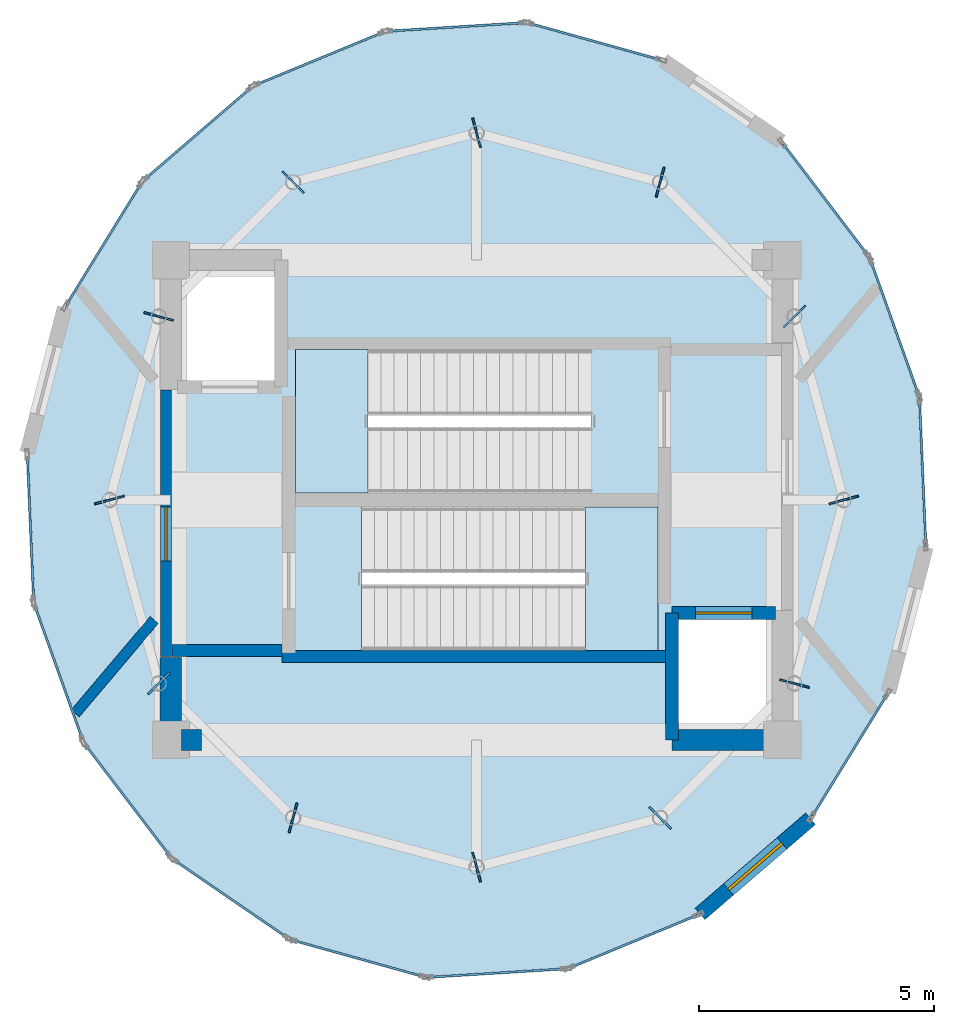
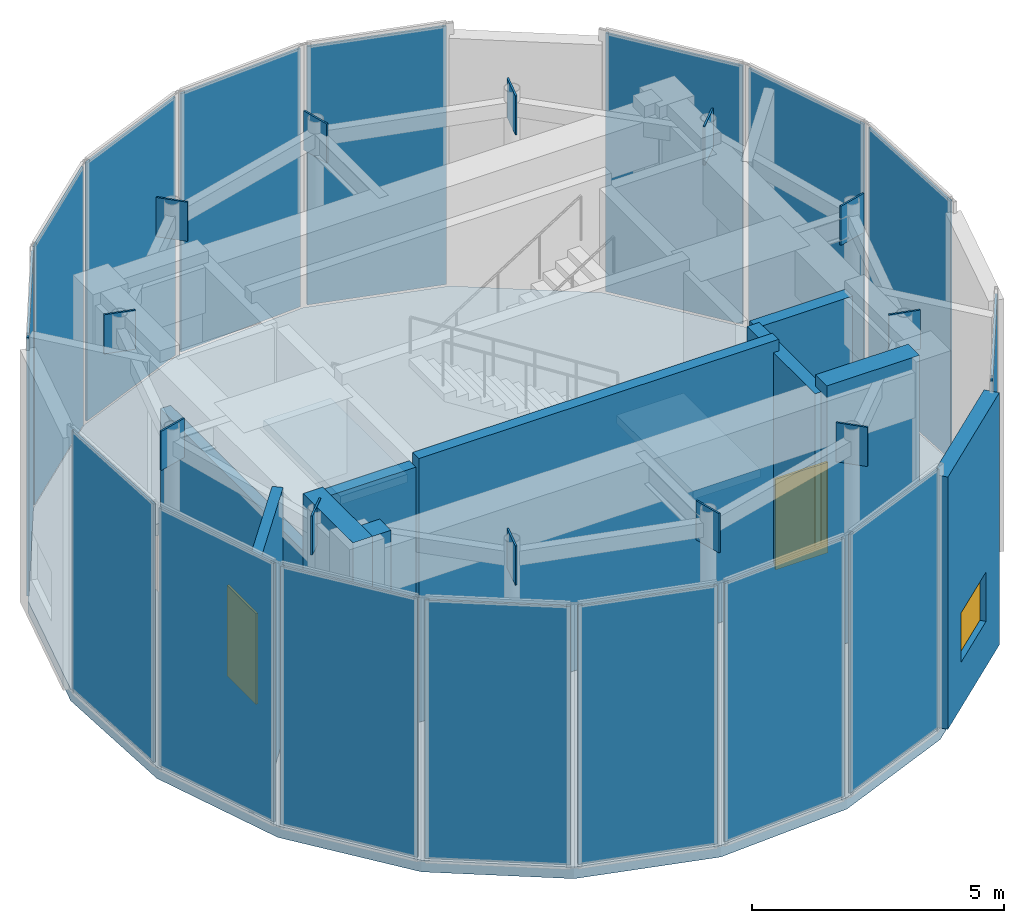
# One storey, part 6 of 8: 28 plates, 10 walls, 3 slabs, 2 doors, 1 window, 3 openings, 18 elements without a shape of their own.
"""IFC4 building model written with IfcOpenShell, lengths in metres."""

from ifc_helpers import new_model, si_unit, direction, frame, frame_2d, origin, origin_2d, place, context, subcontext, project, spatial, polyline, rectangle, outline, extrude, source, transform, mapped, material, layer, layer_set, type_object, element, fill, aggregate, save


model = new_model("IFC4")

# Units and contexts
model_context = context("Model", 3, precision=1e-05, world=origin(), true_north=direction((0.0, 1.0)))
body_context = subcontext(model_context, "Body", "Model", "MODEL_VIEW")
ifc_project = project(units=[si_unit("LENGTHUNIT", "METRE"), si_unit("AREAUNIT", "SQUARE_METRE"), si_unit("VOLUMEUNIT", "CUBIC_METRE"), si_unit("PLANEANGLEUNIT", "RADIAN"), si_unit("MASSUNIT", "GRAM", prefix="KILO")], contexts=[model_context])

# Site, building, storey
site_placement = place(None, origin())
site = spatial("IfcSite", under=ifc_project, at=site_placement, CompositionType="ELEMENT")
building_placement = place(site_placement, origin())
building = spatial("IfcBuilding", under=site, at=building_placement, Name="Solvirekh Grand Hotel", CompositionType="ELEMENT")
storey_placement = place(building_placement, frame((0.0, 0.0, 327.39990234375)))
storey = spatial("IfcBuildingStorey", under=building, at=storey_placement, Name="L82", CompositionType="ELEMENT", Elevation=327.39990234375)

# Stair, slab
ifc_material_1 = material(Name="Concrete C40/50", Category="concrete")
stair_type = type_object("IfcStairType", Name="Stair_Core_1450", PredefinedType="HALF_TURN_STAIR", material=ifc_material_1)
stair_1_placement = place(storey_placement, origin())
stair_1 = element("IfcStair", 1, at=stair_1_placement, inside=storey, type_object=stair_type, Name="L82 Enclosed exit stair ST-1", PredefinedType="HALF_TURN_STAIR")
ifc_layer_1 = layer(ifc_material_1, 0.199951171875)
ifc_layer_set_1 = layer_set([ifc_layer_1], Name="Concrete C40/50")
slab_type_1 = type_object("IfcSlabType", Name="Landing_Stair_200", PredefinedType="LANDING", material=ifc_layer_set_1)
slab_1_placement = place(storey_placement, frame((0.0, 0.0, 3.0)))
slab_1 = element("IfcSlab", 2, at=slab_1_placement, type_object=slab_type_1, Name="ST-1 landing 1", PredefinedType="LANDING", context=body_context, shape_type="SweptSolid", body=[
    extrude(outline(polyline([(2.31005859375, -3.199951171875), (3.85009765625, -3.199951171875), (3.85009765625, -0.14990234375), (2.31005859375, -0.14990234375), (2.31005859375, -3.199951171875)])), origin(), (0.0, 0.0, 1.0), 0.2001953125),
])
aggregate(stair_1, [slab_1])

stair_2_placement = place(storey_placement, origin())
stair_2 = element("IfcStair", 3, at=stair_2_placement, inside=storey, type_object=stair_type, Name="L82 Enclosed exit stair ST-2", PredefinedType="HALF_TURN_STAIR")
slab_2_placement = place(storey_placement, frame((0.0, 0.0, 3.0)))
slab_2 = element("IfcSlab", 4, at=slab_2_placement, type_object=slab_type_1, Name="ST-2 landing 1", PredefinedType="LANDING", context=body_context, shape_type="SweptSolid", body=[
    extrude(outline(polyline([(-2.31005859375, 3.199951171875), (-3.85009765625, 3.199951171875), (-3.85009765625, 0.14990234375), (-2.31005859375, 0.14990234375), (-2.31005859375, 3.199951171875)])), origin(), (0.0, 0.0, 1.0), 0.2001953125),
])
aggregate(stair_2, [slab_2])

# Plates
ifc_material_2 = material(Name="Steel S355", Category="steel")
ifc_layer_2 = layer(ifc_material_2, 0.0400390625)
ifc_layer_set_2 = layer_set([ifc_layer_2], Name="Steel S355")
plate_type_1 = type_object("IfcPlateType", Name="NodeCapPlate_40", PredefinedType="SHEET", material=ifc_layer_set_2)
for number, where, z_axis, x_axis, name in (
    (5, (7.800048828125, 0.0, 5.47021484375), (0.0, 0.0, 1.0), (-0.258819045103, 0.965925826289, 0.0), "L82 hollow-section node plate NP-L82-SP01"),
    (6, (6.7548828125, 3.89990234375, 5.47021484375), (0.0, 0.0, 1.0), (-0.707106781187, 0.707106781187, 0.0), "L82 hollow-section node plate NP-L82-SP02"),
    (7, (3.89990234375, 6.7548828125, 5.47021484375), (0.0, 0.0, 1.0), (-0.965925826289, 0.258819045103, 0.0), "L82 hollow-section node plate NP-L82-SP03"),
    (8, (0.0, 7.800048828125, 5.47021484375), (0.0, 0.0, 1.0), (-0.965925826289, -0.258819045103, 0.0), "L82 hollow-section node plate NP-L82-SP04"),
    (9, (-3.89990234375, 6.7548828125, 5.47021484375), (0.0, 0.0, 1.0), (-0.707106781187, -0.707106781187, 0.0), "L82 hollow-section node plate NP-L82-SP05"),
    (10, (-6.7548828125, 3.89990234375, 5.47021484375), (0.0, 0.0, 1.0), (-0.258819045103, -0.965925826289, 0.0), "L82 hollow-section node plate NP-L82-SP06"),
    (11, (-7.800048828125, 0.0, 5.47021484375), (0.0, 0.0, 1.0), (0.258819045103, -0.965925826289, 0.0), "L82 hollow-section node plate NP-L82-SP07"),
    (12, (-6.7548828125, -3.89990234375, 5.47021484375), (0.0, 0.0, 1.0), (0.707106781187, -0.707106781187, 0.0), "L82 hollow-section node plate NP-L82-SP08"),
    (13, (-3.89990234375, -6.7548828125, 5.47021484375), (0.0, 0.0, 1.0), (0.965925826289, -0.258819045103, 0.0), "L82 hollow-section node plate NP-L82-SP09"),
    (14, (0.0, -7.800048828125, 5.47021484375), (0.0, 0.0, 1.0), (0.965925826289, 0.258819045103, 0.0), "L82 hollow-section node plate NP-L82-SP10"),
    (15, (3.89990234375, -6.7548828125, 5.47021484375), (0.0, 0.0, 1.0), (0.707106781187, 0.707106781187, 0.0), "L82 hollow-section node plate NP-L82-SP11"),
    (16, (6.7548828125, -3.89990234375, 5.47021484375), (0.0, 0.0, 1.0), (0.258819045103, 0.965925826289, 0.0), "L82 hollow-section node plate NP-L82-SP12"),
):
    element("IfcPlate", number, at=place(storey_placement, frame(where, z_axis=z_axis, x_axis=x_axis)), inside=storey, type_object=plate_type_1, Name=name, PredefinedType="SHEET", context=body_context, shape_type="SweptSolid", body=[
        extrude(rectangle(XDim=0.0400390625, YDim=0.64990234375, at=origin_2d()), origin(), (0.0, 0.0, 1.0), 0.949951171875),
    ])

# Slab
ifc_layer_3 = layer(ifc_material_1, 0.280029296875)
ifc_layer_set_3 = layer_set([ifc_layer_3], Name="Concrete C40/50")
slab_type_2 = type_object("IfcSlabType", Name="Slab_Crown_280", PredefinedType="FLOOR", material=ifc_layer_set_3)
slab_3_placement = place(storey_placement, frame((0.0, 0.0, -0.27978515625)))
element("IfcSlab", 17, at=slab_3_placement, inside=storey, type_object=slab_type_2, Name="L82 structural floor slab", PredefinedType="FLOOR", context=body_context, shape_type="SweptSolid", body=[
    extrude(outline(polyline([(-1.06591796875, -10.14404296875), (1.93603515625, -9.9580078125), (4.7490234375, -8.797119140625), (7.096923828125, -6.77392578125), (8.7509765625, -4.089111328125), (9.547119140625, -1.0029296875), (9.409912109375, 2.179931640625), (8.35107421875, 5.15087890625), (6.47412109375, 7.616943359375), (3.964111328125, 9.337890625), (1.06591796875, 10.14404296875), (-1.93603515625, 9.9580078125), (-4.7490234375, 8.797119140625), (-7.096923828125, 6.77392578125), (-8.7509765625, 4.089111328125), (-9.547119140625, 1.0029296875), (-9.409912109375, -2.179931640625), (-8.35107421875, -5.15087890625), (-6.47412109375, -7.616943359375), (-3.964111328125, -9.337890625), (-1.06591796875, -10.14404296875)]), holes=[polyline([(-2.444091796875, -0.14990234375), (3.85009765625, -0.14990234375), (3.85009765625, -3.199951171875), (-2.444091796875, -3.199951171875), (-2.444091796875, -0.14990234375)]), polyline([(2.444091796875, 0.14990234375), (-3.85009765625, 0.14990234375), (-3.85009765625, 3.199951171875), (2.444091796875, 3.199951171875), (2.444091796875, 0.14990234375)]), polyline([(-6.35009765625, 5.10009765625), (-4.14990234375, 5.10009765625), (-4.14990234375, 2.39990234375), (-6.35009765625, 2.39990234375), (-6.35009765625, 5.10009765625)]), polyline([(4.14990234375, -2.39990234375), (6.35009765625, -2.39990234375), (6.35009765625, -5.10009765625), (4.14990234375, -5.10009765625), (4.14990234375, -2.39990234375)])]), origin(), (0.0, 0.0, 1.0), 0.27978515625),
])

# Curtain wall, plate
ifc_material_3 = material(Name="Anodized Bronze Aluminium 6063-T6", Category="aluminium")
ifc_layer_4 = layer(ifc_material_3, 0.219970703125)
ifc_layer_set_4 = layer_set([ifc_layer_4], Name="Anodized Bronze Aluminium 6063-T6")
curtain_wall_type = type_object("IfcCurtainWallType", Name="CW_Sys6_CrownFacetedPointCW", PredefinedType="NOTDEFINED", material=ifc_layer_set_4)
curtain_wall_1_placement = place(storey_placement, origin())
curtain_wall_1 = element("IfcCurtainWall", 18, at=curtain_wall_1_placement, inside=storey, type_object=curtain_wall_type, Name="L82 unitised bronze-glass curtain wall CW-L82-C01", PredefinedType="NOTDEFINED")
ifc_material_4 = material(Name="Champagne Low-Iron Crown Laminated Glass", Category="glass")
ifc_layer_5 = layer(ifc_material_4, 0.0458984375)
ifc_layer_set_5 = layer_set([ifc_layer_5], Name="Champagne Low-Iron Crown Laminated Glass")
plate_type_2 = type_object("IfcPlateType", Name="CWPanel_Crown_46", PredefinedType="CURTAIN_PANEL", material=ifc_layer_set_5)
shared_shape_1 = source(origin(), body_context, "Body", "SweptSolid", [
    extrude(rectangle(XDim=2.857666015625, YDim=0.0458984375, at=origin_2d()), origin(), (0.0, 0.0, 1.0), 6.27001953125),
])
plate_1_placement = place(storey_placement, frame((0.43505859375, -10.051025390625, 0.065185546875), z_axis=(0.0, 0.0, 1.0), x_axis=(0.998086068861, 0.061840109522, 0.0)))
plate_1 = element("IfcPlate", 19, at=plate_1_placement, type_object=plate_type_2, Name="U06 panel 1.1", PredefinedType="CURTAIN_PANEL", context=body_context, shape_type="MappedRepresentation", body=[
    mapped(shared_shape_1, transform((0.0, 0.0, 0.0), x_axis=(1.0, 0.0, 0.0), y_axis=(0.0, 1.0, 0.0), z_axis=(0.0, 0.0, 1.0), scale=1.0)),
])
aggregate(curtain_wall_1, [plate_1])

curtain_wall_2_placement = place(storey_placement, origin())
curtain_wall_2 = element("IfcCurtainWall", 20, at=curtain_wall_2_placement, inside=storey, type_object=curtain_wall_type, Name="L82 unitised bronze-glass curtain wall CW-L82-C11", PredefinedType="NOTDEFINED")
plate_2_placement = place(storey_placement, frame((-0.43505859375, 10.051025390625, 0.065185546875), z_axis=(0.0, 0.0, 1.0), x_axis=(-0.998086068861, -0.061840109522, 0.0)))
plate_2 = element("IfcPlate", 21, at=plate_2_placement, type_object=plate_type_2, Name="U06 panel 1.1", PredefinedType="CURTAIN_PANEL", context=body_context, shape_type="MappedRepresentation", body=[
    mapped(shared_shape_1, transform((0.0, 0.0, 0.0), x_axis=(1.0, 0.0, 0.0), y_axis=(0.0, 1.0, 0.0), z_axis=(0.0, 0.0, 1.0), scale=1.0)),
])
aggregate(curtain_wall_2, [plate_2])

curtain_wall_3_placement = place(storey_placement, origin())
curtain_wall_3 = element("IfcCurtainWall", 22, at=curtain_wall_3_placement, inside=storey, type_object=curtain_wall_type, Name="L82 unitised bronze-glass curtain wall CW-L82-C02", PredefinedType="NOTDEFINED")
shared_shape_2 = source(origin(), body_context, "Body", "SweptSolid", [
    extrude(rectangle(XDim=2.89306640625, YDim=0.0458984375, at=origin_2d()), origin(), (0.0, 0.0, 1.0), 6.27001953125),
])
plate_3_placement = place(storey_placement, frame((3.342529296875, -9.37744140625, 0.065185546875), z_axis=(0.0, 0.0, 1.0), x_axis=(0.924364736582, 0.381509939273, 0.0)))
plate_3 = element("IfcPlate", 23, at=plate_3_placement, type_object=plate_type_2, Name="U06 panel 1.1", PredefinedType="CURTAIN_PANEL", context=body_context, shape_type="MappedRepresentation", body=[
    mapped(shared_shape_2, transform((0.0, 0.0, 0.0), x_axis=(1.0, 0.0, 0.0), y_axis=(0.0, 1.0, 0.0), z_axis=(0.0, 0.0, 1.0), scale=1.0)),
])
aggregate(curtain_wall_3, [plate_3])

curtain_wall_4_placement = place(storey_placement, origin())
curtain_wall_4 = element("IfcCurtainWall", 24, at=curtain_wall_4_placement, inside=storey, type_object=curtain_wall_type, Name="L82 unitised bronze-glass curtain wall CW-L82-C12", PredefinedType="NOTDEFINED")
plate_4_placement = place(storey_placement, frame((-3.342529296875, 9.37744140625, 0.065185546875), z_axis=(0.0, 0.0, 1.0), x_axis=(-0.924364736582, -0.381509939273, 0.0)))
plate_4 = element("IfcPlate", 25, at=plate_4_placement, type_object=plate_type_2, Name="U06 panel 1.1", PredefinedType="CURTAIN_PANEL", context=body_context, shape_type="MappedRepresentation", body=[
    mapped(shared_shape_2, transform((0.0, 0.0, 0.0), x_axis=(1.0, 0.0, 0.0), y_axis=(0.0, 1.0, 0.0), z_axis=(0.0, 0.0, 1.0), scale=1.0)),
])
aggregate(curtain_wall_4, [plate_4])

curtain_wall_5_placement = place(storey_placement, origin())
curtain_wall_5 = element("IfcCurtainWall", 26, at=curtain_wall_5_placement, inside=storey, type_object=curtain_wall_type, Name="L82 unitised bronze-glass curtain wall CW-L82-C04", PredefinedType="NOTDEFINED")
shared_shape_3 = source(origin(), body_context, "Body", "SweptSolid", [
    extrude(rectangle(XDim=3.003662109375, YDim=0.0458984375, at=origin_2d()), origin(), (0.0, 0.0, 1.0), 6.27001953125),
])
plate_5_placement = place(storey_placement, frame((7.924072265625, -5.431396484375, 0.065185546875), z_axis=(0.0, 0.0, 1.0), x_axis=(0.524486603344, 0.851418700119, 0.0)))
plate_5 = element("IfcPlate", 27, at=plate_5_placement, type_object=plate_type_2, Name="U06 panel 1.1", PredefinedType="CURTAIN_PANEL", context=body_context, shape_type="MappedRepresentation", body=[
    mapped(shared_shape_3, transform((0.0, 0.0, 0.0), x_axis=(1.0, 0.0, 0.0), y_axis=(0.0, 1.0, 0.0), z_axis=(0.0, 0.0, 1.0), scale=1.0)),
])
aggregate(curtain_wall_5, [plate_5])

curtain_wall_6_placement = place(storey_placement, origin())
curtain_wall_6 = element("IfcCurtainWall", 28, at=curtain_wall_6_placement, inside=storey, type_object=curtain_wall_type, Name="L82 unitised bronze-glass curtain wall CW-L82-C14", PredefinedType="NOTDEFINED")
plate_6_placement = place(storey_placement, frame((-7.924072265625, 5.431396484375, 0.065185546875), z_axis=(0.0, 0.0, 1.0), x_axis=(-0.524486603344, -0.851418700119, 0.0)))
plate_6 = element("IfcPlate", 29, at=plate_6_placement, type_object=plate_type_2, Name="U06 panel 1.1", PredefinedType="CURTAIN_PANEL", context=body_context, shape_type="MappedRepresentation", body=[
    mapped(shared_shape_3, transform((0.0, 0.0, 0.0), x_axis=(1.0, 0.0, 0.0), y_axis=(0.0, 1.0, 0.0), z_axis=(0.0, 0.0, 1.0), scale=1.0)),
])
aggregate(curtain_wall_6, [plate_6])

curtain_wall_7_placement = place(storey_placement, origin())
curtain_wall_7 = element("IfcCurtainWall", 30, at=curtain_wall_7_placement, inside=storey, type_object=curtain_wall_type, Name="L82 unitised bronze-glass curtain wall CW-L82-C06", PredefinedType="NOTDEFINED")
shared_shape_4 = source(origin(), body_context, "Body", "SweptSolid", [
    extrude(rectangle(XDim=3.035888671875, YDim=0.0458984375, at=origin_2d()), origin(), (0.0, 0.0, 1.0), 6.27001953125),
])
plate_7_placement = place(storey_placement, frame((9.478515625, 0.58837890625, 0.065185546875), z_axis=(0.0, 0.0, 1.0), x_axis=(-0.0430013437, 0.999075014421, 0.0)))
plate_7 = element("IfcPlate", 31, at=plate_7_placement, type_object=plate_type_2, Name="U06 panel 1.1", PredefinedType="CURTAIN_PANEL", context=body_context, shape_type="MappedRepresentation", body=[
    mapped(shared_shape_4, transform((0.0, 0.0, 0.0), x_axis=(1.0, 0.0, 0.0), y_axis=(0.0, 1.0, 0.0), z_axis=(0.0, 0.0, 1.0), scale=1.0)),
])
aggregate(curtain_wall_7, [plate_7])

curtain_wall_8_placement = place(storey_placement, origin())
curtain_wall_8 = element("IfcCurtainWall", 32, at=curtain_wall_8_placement, inside=storey, type_object=curtain_wall_type, Name="L82 unitised bronze-glass curtain wall CW-L82-C16", PredefinedType="NOTDEFINED")
plate_8_placement = place(storey_placement, frame((-9.478515625, -0.58837890625, 0.065185546875), z_axis=(0.0, 0.0, 1.0), x_axis=(0.0430013437, -0.999075014421, 0.0)))
plate_8 = element("IfcPlate", 33, at=plate_8_placement, type_object=plate_type_2, Name="U06 panel 1.1", PredefinedType="CURTAIN_PANEL", context=body_context, shape_type="MappedRepresentation", body=[
    mapped(shared_shape_4, transform((0.0, 0.0, 0.0), x_axis=(1.0, 0.0, 0.0), y_axis=(0.0, 1.0, 0.0), z_axis=(0.0, 0.0, 1.0), scale=1.0)),
])
aggregate(curtain_wall_8, [plate_8])

curtain_wall_9_placement = place(storey_placement, origin())
curtain_wall_9 = element("IfcCurtainWall", 34, at=curtain_wall_9_placement, inside=storey, type_object=curtain_wall_type, Name="L82 unitised bronze-glass curtain wall CW-L82-C07", PredefinedType="NOTDEFINED")
shared_shape_5 = source(origin(), body_context, "Body", "SweptSolid", [
    extrude(rectangle(XDim=3.004150390625, YDim=0.0458984375, at=origin_2d()), origin(), (0.0, 0.0, 1.0), 6.27001953125),
])
plate_9_placement = place(storey_placement, frame((8.880615234375, 3.66552734375, 0.065185546875), z_axis=(0.0, 0.0, 1.0), x_axis=(-0.335753882406, 0.941949749429, 0.0)))
plate_9 = element("IfcPlate", 35, at=plate_9_placement, type_object=plate_type_2, Name="U06 panel 1.1", PredefinedType="CURTAIN_PANEL", context=body_context, shape_type="MappedRepresentation", body=[
    mapped(shared_shape_5, transform((0.0, 0.0, 0.0), x_axis=(1.0, 0.0, 0.0), y_axis=(0.0, 1.0, 0.0), z_axis=(0.0, 0.0, 1.0), scale=1.0)),
])
aggregate(curtain_wall_9, [plate_9])

curtain_wall_10_placement = place(storey_placement, origin())
curtain_wall_10 = element("IfcCurtainWall", 36, at=curtain_wall_10_placement, inside=storey, type_object=curtain_wall_type, Name="L82 unitised bronze-glass curtain wall CW-L82-C17", PredefinedType="NOTDEFINED")
plate_10_placement = place(storey_placement, frame((-8.880615234375, -3.66552734375, 0.065185546875), z_axis=(0.0, 0.0, 1.0), x_axis=(0.335753882406, -0.941949749429, 0.0)))
plate_10 = element("IfcPlate", 37, at=plate_10_placement, type_object=plate_type_2, Name="U06 panel 1.1", PredefinedType="CURTAIN_PANEL", context=body_context, shape_type="MappedRepresentation", body=[
    mapped(shared_shape_5, transform((0.0, 0.0, 0.0), x_axis=(1.0, 0.0, 0.0), y_axis=(0.0, 1.0, 0.0), z_axis=(0.0, 0.0, 1.0), scale=1.0)),
])
aggregate(curtain_wall_10, [plate_10])

curtain_wall_11_placement = place(storey_placement, origin())
curtain_wall_11 = element("IfcCurtainWall", 38, at=curtain_wall_11_placement, inside=storey, type_object=curtain_wall_type, Name="L82 unitised bronze-glass curtain wall CW-L82-C08", PredefinedType="NOTDEFINED")
shared_shape_6 = source(origin(), body_context, "Body", "SweptSolid", [
    extrude(rectangle(XDim=2.948974609375, YDim=0.0458984375, at=origin_2d()), origin(), (0.0, 0.0, 1.0), 6.27001953125),
])
plate_11_placement = place(storey_placement, frame((7.41259765625, 6.384033203125, 0.065185546875), z_axis=(0.0, 0.0, 1.0), x_axis=(-0.605663989825, 0.795720510876, 0.0)))
plate_11 = element("IfcPlate", 39, at=plate_11_placement, type_object=plate_type_2, Name="U06 panel 1.1", PredefinedType="CURTAIN_PANEL", context=body_context, shape_type="MappedRepresentation", body=[
    mapped(shared_shape_6, transform((0.0, 0.0, 0.0), x_axis=(1.0, 0.0, 0.0), y_axis=(0.0, 1.0, 0.0), z_axis=(0.0, 0.0, 1.0), scale=1.0)),
])
aggregate(curtain_wall_11, [plate_11])

curtain_wall_12_placement = place(storey_placement, origin())
curtain_wall_12 = element("IfcCurtainWall", 40, at=curtain_wall_12_placement, inside=storey, type_object=curtain_wall_type, Name="L82 unitised bronze-glass curtain wall CW-L82-C18", PredefinedType="NOTDEFINED")
plate_12_placement = place(storey_placement, frame((-7.41259765625, -6.384033203125, 0.065185546875), z_axis=(0.0, 0.0, 1.0), x_axis=(0.605663989825, -0.795720510876, 0.0)))
plate_12 = element("IfcPlate", 41, at=plate_12_placement, type_object=plate_type_2, Name="U06 panel 1.1", PredefinedType="CURTAIN_PANEL", context=body_context, shape_type="MappedRepresentation", body=[
    mapped(shared_shape_6, transform((0.0, 0.0, 0.0), x_axis=(1.0, 0.0, 0.0), y_axis=(0.0, 1.0, 0.0), z_axis=(0.0, 0.0, 1.0), scale=1.0)),
])
aggregate(curtain_wall_12, [plate_12])

curtain_wall_13_placement = place(storey_placement, origin())
curtain_wall_13 = element("IfcCurtainWall", 42, at=curtain_wall_13_placement, inside=storey, type_object=curtain_wall_type, Name="L82 unitised bronze-glass curtain wall CW-L82-C10", PredefinedType="NOTDEFINED")
shared_shape_7 = source(origin(), body_context, "Body", "SweptSolid", [
    extrude(rectangle(XDim=2.85791015625, YDim=0.0458984375, at=origin_2d()), origin(), (0.0, 0.0, 1.0), 6.27001953125),
])
plate_13_placement = place(storey_placement, frame((2.514892578125, 9.740966796875, 0.065185546875), z_axis=(0.0, 0.0, 1.0), x_axis=(-0.963432128817, 0.267952483033, 0.0)))
plate_13 = element("IfcPlate", 43, at=plate_13_placement, type_object=plate_type_2, Name="U06 panel 1.1", PredefinedType="CURTAIN_PANEL", context=body_context, shape_type="MappedRepresentation", body=[
    mapped(shared_shape_7, transform((0.0, 0.0, 0.0), x_axis=(1.0, 0.0, 0.0), y_axis=(0.0, 1.0, 0.0), z_axis=(0.0, 0.0, 1.0), scale=1.0)),
])
aggregate(curtain_wall_13, [plate_13])

curtain_wall_14_placement = place(storey_placement, origin())
curtain_wall_14 = element("IfcCurtainWall", 44, at=curtain_wall_14_placement, inside=storey, type_object=curtain_wall_type, Name="L82 unitised bronze-glass curtain wall CW-L82-C20", PredefinedType="NOTDEFINED")
plate_14_placement = place(storey_placement, frame((-2.514892578125, -9.740966796875, 0.065185546875), z_axis=(0.0, 0.0, 1.0), x_axis=(0.963432128817, -0.267952483033, 0.0)))
plate_14 = element("IfcPlate", 45, at=plate_14_placement, type_object=plate_type_2, Name="U06 panel 1.1", PredefinedType="CURTAIN_PANEL", context=body_context, shape_type="MappedRepresentation", body=[
    mapped(shared_shape_7, transform((0.0, 0.0, 0.0), x_axis=(1.0, 0.0, 0.0), y_axis=(0.0, 1.0, 0.0), z_axis=(0.0, 0.0, 1.0), scale=1.0)),
])
aggregate(curtain_wall_14, [plate_14])

curtain_wall_15_placement = place(storey_placement, origin())
curtain_wall_15 = element("IfcCurtainWall", 46, at=curtain_wall_15_placement, inside=storey, type_object=curtain_wall_type, Name="L82 unitised bronze-glass curtain wall CW-L82-C13", PredefinedType="NOTDEFINED")
shared_shape_8 = source(origin(), body_context, "Body", "SweptSolid", [
    extrude(rectangle(XDim=2.94921875, YDim=0.0458984375, at=origin_2d()), origin(), (0.0, 0.0, 1.0), 6.27001953125),
])
plate_15_placement = place(storey_placement, frame((-5.923095703125, 7.785400390625, 0.065185546875), z_axis=(0.0, 0.0, 1.0), x_axis=(-0.757591507706, -0.652728969368, 0.0)))
plate_15 = element("IfcPlate", 47, at=plate_15_placement, type_object=plate_type_2, Name="U06 panel 1.1", PredefinedType="CURTAIN_PANEL", context=body_context, shape_type="MappedRepresentation", body=[
    mapped(shared_shape_8, transform((0.0, 0.0, 0.0), x_axis=(1.0, 0.0, 0.0), y_axis=(0.0, 1.0, 0.0), z_axis=(0.0, 0.0, 1.0), scale=1.0)),
])
aggregate(curtain_wall_15, [plate_15])

curtain_wall_16_placement = place(storey_placement, origin())
curtain_wall_16 = element("IfcCurtainWall", 48, at=curtain_wall_16_placement, inside=storey, type_object=curtain_wall_type, Name="L82 unitised bronze-glass curtain wall CW-L82-C19", PredefinedType="NOTDEFINED")
shared_shape_9 = source(origin(), body_context, "Body", "SweptSolid", [
    extrude(rectangle(XDim=2.893310546875, YDim=0.0458984375, at=origin_2d()), origin(), (0.0, 0.0, 1.0), 6.27001953125),
])
plate_16_placement = place(storey_placement, frame((-5.218994140625, -8.4775390625, 0.065185546875), z_axis=(0.0, 0.0, 1.0), x_axis=(0.824750744797, -0.565496427007, 0.0)))
plate_16 = element("IfcPlate", 49, at=plate_16_placement, type_object=plate_type_2, Name="U06 panel 1.1", PredefinedType="CURTAIN_PANEL", context=body_context, shape_type="MappedRepresentation", body=[
    mapped(shared_shape_9, transform((0.0, 0.0, 0.0), x_axis=(1.0, 0.0, 0.0), y_axis=(0.0, 1.0, 0.0), z_axis=(0.0, 0.0, 1.0), scale=1.0)),
])
aggregate(curtain_wall_16, [plate_16])

# Wall
ifc_material_5 = material(Name="Concrete C50/60", Category="concrete")
ifc_layer_6 = layer(ifc_material_5, 0.35009765625)
ifc_layer_set_6 = layer_set([ifc_layer_6], Name="Concrete C50/60")
wall_type_1 = type_object("IfcWallType", Name="CoreDivWall_RC350", PredefinedType="SOLIDWALL", material=ifc_layer_set_6)
wall_1_placement = place(storey_placement, frame((-4.1298828125, -3.324951171875, 0.0), z_axis=(0.0, 0.0, 1.0), x_axis=(1.0, 0.0, 0.0)))
element("IfcWall", 50, at=wall_1_placement, inside=storey, type_object=wall_type_1, Name="L82 core stair box wall ST-S", PredefinedType="SOLIDWALL", context=body_context, shape_type="SweptSolid", body=[
    extrude(rectangle(XDim=8.259765625, YDim=0.25, at=frame_2d((4.1298828125, 0.0))), origin(), (0.0, 0.0, 1.0), 6.400146484375),
])

# Wall, opening, door
ifc_layer_7 = layer(ifc_material_1, 0.280029296875)
ifc_layer_set_7 = layer_set([ifc_layer_7], Name="Concrete C40/50")
wall_type_2 = type_object("IfcWallType", Name="CoreShaftWall_RC280", PredefinedType="SOLIDWALL", material=ifc_layer_set_7)
wall_2_placement = place(storey_placement, frame((6.35009765625, -2.39990234375, 0.0), z_axis=(0.0, 0.0, 1.0), x_axis=(-1.0, 0.0, 0.0)))
wall_2 = element("IfcWall", 51, at=wall_2_placement, inside=storey, type_object=wall_type_2, Name="L82 FL-2 hoistway N wall", PredefinedType="SOLIDWALL", context=body_context, shape_type="SweptSolid", body=[
    extrude(rectangle(XDim=2.2001953125, YDim=0.280029296875, at=frame_2d((1.10009765625, 0.0))), origin(), (0.0, 0.0, 1.0), 6.1201171875),
])
opening_1_placement = place(wall_2_placement, frame((0.5, 0.0, 0.0)))
opening_1 = element("IfcOpeningElement", 52, at=opening_1_placement, cuts=wall_2, Name="Opening LD02", PredefinedType="OPENING", context=body_context, shape_type="SweptSolid", body=[
    extrude(rectangle(XDim=1.199951171875, YDim=2.199951171875, at=frame_2d((0.60009765625, 1.10009765625))), frame((0.0, 0.14990234375, 0.0), z_axis=(0.0, -1.0, 0.0), x_axis=(1.0, 0.0, 0.0)), (0.0, 0.0, 1.0), 0.300048828125),
])
ifc_material_6 = material(Name="Fire-Rated Steel Door Assembly", Category="steel")
door_type_1 = type_object("IfcDoorType", Name="Door_LiftFF_1200X2200", OperationType="SLIDING_TO_LEFT", PredefinedType="DOOR", material=ifc_material_6)
door_1_placement = place(opening_1_placement, origin())
door_1 = element("IfcDoor", 53, at=door_1_placement, inside=storey, type_object=door_type_1, Name="L82 FL-2 sliding lift landing door", OperationType="SLIDING_TO_LEFT", OverallHeight=2.199951171875, OverallWidth=1.199951171875, PredefinedType="DOOR", context=body_context, shape_type="SweptSolid", body=[
    extrude(rectangle(XDim=1.199951171875, YDim=2.199951171875, at=frame_2d((0.60009765625, 1.10009765625))), frame((0.0, 0.02490234375, 0.0), z_axis=(0.0, -1.0, 0.0), x_axis=(1.0, 0.0, 0.0)), (0.0, 0.0, 1.0), 0.050048828125),
])
fill(opening_1, door_1)

# Walls
wall_3_placement = place(storey_placement, frame((4.14990234375, -2.39990234375, 0.0), z_axis=(0.0, 0.0, 1.0), x_axis=(0.0, -1.0, 0.0)))
element("IfcWall", 54, at=wall_3_placement, inside=storey, type_object=wall_type_2, Name="L82 FL-2 hoistway W wall", PredefinedType="SOLIDWALL", context=body_context, shape_type="SweptSolid", body=[
    extrude(rectangle(XDim=2.7001953125, YDim=0.280029296875, at=frame_2d((1.35009765625, 0.0))), origin(), (0.0, 0.0, 1.0), 6.1201171875),
])
ifc_layer_8 = layer(ifc_material_5, 0.449951171875)
ifc_layer_set_8 = layer_set([ifc_layer_8], Name="Concrete C50/60")
wall_type_3 = type_object("IfcWallType", Name="CoreWall_RC450", PredefinedType="SHEAR", material=ifc_layer_set_8)
wall_4_placement = place(storey_placement, frame((-6.27490234375, -5.10009765625, 0.0), z_axis=(0.0, 0.0, 1.0), x_axis=(1.0, 0.0, 0.0)))
element("IfcWall", 55, at=wall_4_placement, inside=storey, type_object=wall_type_3, Name="L82 core corner shear wall SW-S", PredefinedType="SHEAR", context=body_context, shape_type="SweptSolid", body=[
    extrude(rectangle(XDim=0.4248046875, YDim=0.449951171875, at=frame_2d((0.21240234375, 0.0))), origin(), (0.0, 0.0, 1.0), 6.400146484375),
])
wall_5_placement = place(storey_placement, frame((4.14990234375, -5.10009765625, 0.0), z_axis=(0.0, 0.0, 1.0), x_axis=(1.0, 0.0, 0.0)))
element("IfcWall", 56, at=wall_5_placement, inside=storey, type_object=wall_type_3, Name="L82 core corner shear wall SE-S", PredefinedType="SHEAR", context=body_context, shape_type="SweptSolid", body=[
    extrude(rectangle(XDim=2.125, YDim=0.449951171875, at=frame_2d((1.0625, 0.0))), origin(), (0.0, 0.0, 1.0), 6.400146484375),
])
wall_6_placement = place(storey_placement, frame((-6.5, -5.324951171875, 0.0), z_axis=(0.0, 0.0, 1.0), x_axis=(0.0, 1.0, 0.0)))
element("IfcWall", 57, at=wall_6_placement, inside=storey, type_object=wall_type_3, Name="L82 core corner shear wall WS-W", PredefinedType="SHEAR", context=body_context, shape_type="SweptSolid", body=[
    extrude(rectangle(XDim=1.974853515625, YDim=0.449951171875, at=frame_2d((0.9873046875, 0.0))), origin(), (0.0, 0.0, 1.0), 6.400146484375),
])

# Wall, opening, window
ifc_material_7 = material(Name="Precast concrete C45/55", Category="concrete")
ifc_layer_9 = layer(ifc_material_7, 0.320068359375)
ifc_layer_set_9 = layer_set([ifc_layer_9], Name="Precast concrete C45/55")
wall_type_4 = type_object("IfcWallType", Name="ExtLobbyWall_RC320", PredefinedType="SOLIDWALL", material=ifc_layer_set_9)
wall_7_placement = place(storey_placement, frame((7.096923828125, -6.77392578125, 0.0), z_axis=(0.0, 0.0, 1.0), x_axis=(-0.757546962461, -0.652780667351, 0.0)))
wall_7 = element("IfcWall", 58, at=wall_7_placement, inside=storey, type_object=wall_type_4, Name="L82 exterior structural wall chord 3", PredefinedType="SOLIDWALL", context=body_context, shape_type="SweptSolid", body=[
    extrude(rectangle(XDim=3.099365234375, YDim=0.320068359375, at=frame_2d((1.5498046875, 0.0))), origin(), (0.0, 0.0, 1.0), 6.1201171875),
])
opening_2_placement = place(wall_7_placement, frame((0.800048828125, 0.0, 1.10009765625)))
opening_2 = element("IfcOpeningElement", 59, at=opening_2_placement, cuts=wall_7, Name="Opening W05", PredefinedType="OPENING", context=body_context, shape_type="SweptSolid", body=[
    extrude(rectangle(XDim=1.5, YDim=1.199951171875, at=frame_2d((0.75, 0.60009765625))), frame((0.0, 0.169921875, 0.0), z_axis=(0.0, -1.0, 0.0), x_axis=(1.0, 0.0, 0.0)), (0.0, 0.0, 1.0), 0.340087890625),
])
ifc_material_8 = material(Name="Low-E Tinted Bronze Laminated Glass", Category="aluminium")
window_type = type_object("IfcWindowType", Name="Win_PlantVent_1500X1200", PartitioningType="SINGLE_PANEL", PredefinedType="WINDOW", material=ifc_material_8)
window_placement = place(opening_2_placement, origin())
window = element("IfcWindow", 60, at=window_placement, inside=storey, type_object=window_type, Name="L82 mechanical louvre window 3", OverallHeight=1.199951171875, OverallWidth=1.5, PartitioningType="SINGLE_PANEL", PredefinedType="WINDOW", context=body_context, shape_type="SweptSolid", body=[
    extrude(rectangle(XDim=1.5, YDim=1.199951171875, at=frame_2d((0.75, 0.60009765625))), frame((0.0, 0.030029296875, 0.0), z_axis=(0.0, -1.0, 0.0), x_axis=(1.0, 0.0, 0.0)), (0.0, 0.0, 1.0), 0.06005859375),
])
fill(opening_2, window)

# Wall, opening, door
ifc_material_9 = material(Name="Acoustic Gypsum Partition Assembly")
ifc_layer_10 = layer(ifc_material_9, 0.239990234375)
ifc_layer_set_10 = layer_set([ifc_layer_10], Name="Acoustic Gypsum Partition Assembly")
wall_type_5 = type_object("IfcWallType", Name="Part_Corridor_240", PredefinedType="PARTITIONING", material=ifc_layer_set_10)
wall_8_placement = place(storey_placement, frame((-6.60009765625, -3.330078125, 0.0), z_axis=(0.0, 0.0, 1.0), x_axis=(0.0, 1.0, 0.0)))
wall_8 = element("IfcWall", 61, at=wall_8_placement, inside=storey, type_object=wall_type_5, Name="L82 west firefighting lobby smoke screen wall", PredefinedType="PARTITIONING", context=body_context, shape_type="SweptSolid", body=[
    extrude(rectangle(XDim=5.670166015625, YDim=0.239990234375, at=frame_2d((2.8349609375, 0.0))), origin(), (0.0, 0.0, 1.0), 5.005126953125),
])
opening_3_placement = place(wall_8_placement, frame((2.033935546875, 0.0, 0.0)))
opening_3 = element("IfcOpeningElement", 62, at=opening_3_placement, cuts=wall_8, Name="Opening D06", PredefinedType="OPENING", context=body_context, shape_type="SweptSolid", body=[
    extrude(rectangle(XDim=1.14990234375, YDim=2.199951171875, at=frame_2d((0.574951171875, 1.10009765625))), frame((0.0, 0.1298828125, 0.0), z_axis=(0.0, -1.0, 0.0), x_axis=(1.0, 0.0, 0.0)), (0.0, 0.0, 1.0), 0.260009765625),
])
door_type_2 = type_object("IfcDoorType", Name="Door_FFLobby_1150X2200", OperationType="NOTDEFINED", PredefinedType="DOOR", material=ifc_material_6)
door_2_placement = place(opening_3_placement, origin())
door_2 = element("IfcDoor", 63, at=door_2_placement, inside=storey, type_object=door_type_2, Name="L82 west firefighting lobby smoke door", OperationType="SINGLE_SWING_RIGHT", OverallHeight=2.199951171875, OverallWidth=1.14990234375, PredefinedType="DOOR", context=body_context, shape_type="SweptSolid", body=[
    extrude(rectangle(XDim=1.14990234375, YDim=2.199951171875, at=frame_2d((0.574951171875, 1.10009765625))), frame((0.0, 0.02490234375, 0.0), z_axis=(0.0, -1.0, 0.0), x_axis=(1.0, 0.0, 0.0)), (0.0, 0.0, 1.0), 0.050048828125),
])
fill(opening_3, door_2)

# Walls
ifc_layer_11 = layer(ifc_material_9, 0.260009765625)
ifc_layer_set_11 = layer_set([ifc_layer_11], Name="Acoustic Gypsum Partition Assembly")
wall_type_6 = type_object("IfcWallType", Name="Part_LobbyFF_260", PredefinedType="PARTITIONING", material=ifc_layer_set_11)
wall_9_placement = place(storey_placement, frame((-6.47509765625, -3.199951171875, 0.0), z_axis=(0.0, 0.0, 1.0), x_axis=(1.0, 0.0, 0.0)))
element("IfcWall", 64, at=wall_9_placement, inside=storey, type_object=wall_type_6, Name="L82 west firefighting lobby south partition", PredefinedType="PARTITIONING", context=body_context, shape_type="SweptSolid", body=[
    extrude(rectangle(XDim=2.34521484375, YDim=0.260009765625, at=frame_2d((1.172607421875, 0.0))), origin(), (0.0, 0.0, 1.0), 6.1201171875),
])
ifc_layer_12 = layer(ifc_material_7, 0.22509765625)
ifc_layer_set_12 = layer_set([ifc_layer_12], Name="Precast concrete C45/55")
wall_type_7 = type_object("IfcWallType", Name="Part_Plant_225", PredefinedType="PARTITIONING", material=ifc_layer_set_12)
wall_10_placement = place(storey_placement, frame((-6.85009765625, -2.550048828125, 0.0), z_axis=(0.0, 0.0, 1.0), x_axis=(-0.645820150002, -0.76348957678, 0.0)))
element("IfcWall", 65, at=wall_10_placement, inside=storey, type_object=wall_type_7, Name="L82 west crown plant south wall", PredefinedType="PARTITIONING", context=body_context, shape_type="SweptSolid", body=[
    extrude(rectangle(XDim=2.599609375, YDim=0.22509765625, at=frame_2d((1.2998046875, 0.0))), origin(), (0.0, 0.0, 1.0), 6.1201171875),
])

save(model, "model.ifc")
